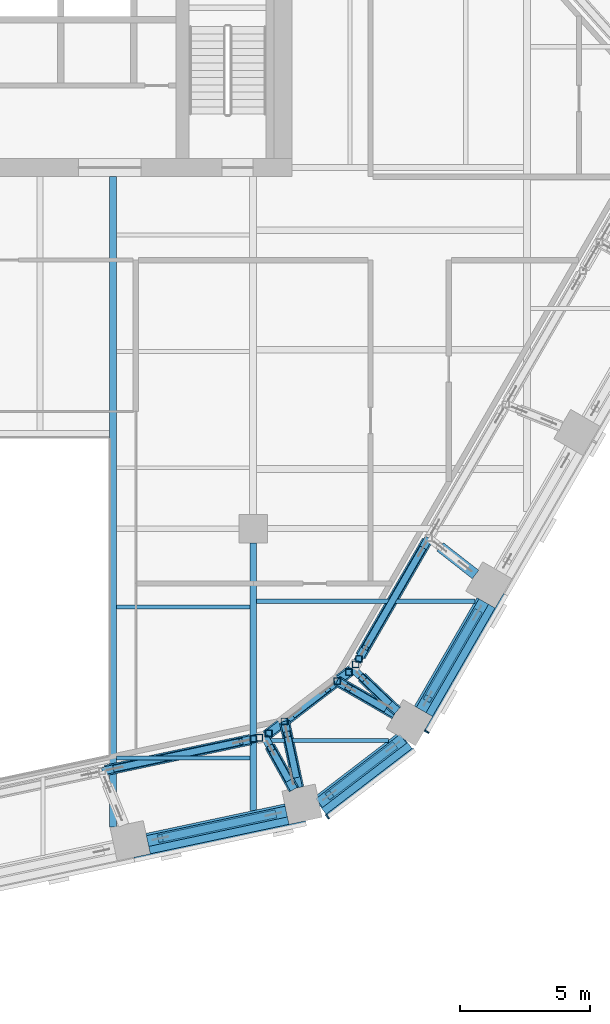
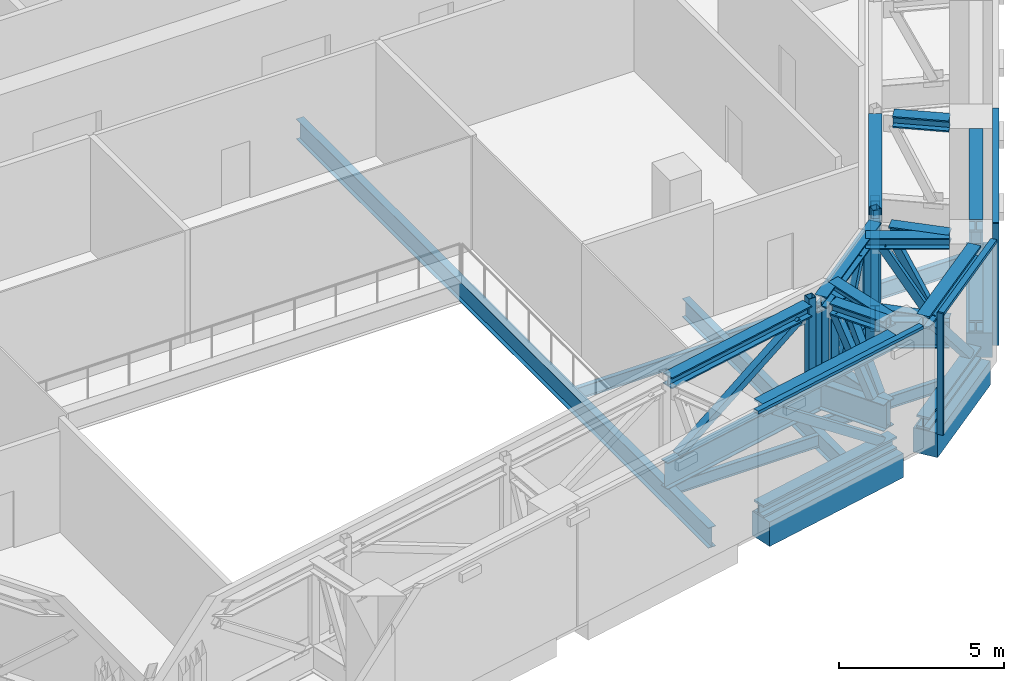
# One storey, part 6 of 26: 44 members, 9 beams, 3 elements without a shape of their own.
"""IFC4 building model written with IfcOpenShell, lengths in metres."""

from ifc_helpers import new_model, si_unit, direction, frame, origin, origin_2d, place, context, subcontext, project, spatial, rectangle, hollow_rectangle, i_section, extrude, material, layer, layer_set, material_profile, profile_set, type_object, element, aggregate, save


model = new_model("IFC4")

# Units and contexts
model_context = context("Model", 3, precision=1e-05, world=origin(), true_north=direction((0.0, 1.0)))
body_context = subcontext(model_context, "Body", "Model", "MODEL_VIEW")
ifc_project = project(units=[si_unit("LENGTHUNIT", "METRE"), si_unit("AREAUNIT", "SQUARE_METRE"), si_unit("VOLUMEUNIT", "CUBIC_METRE"), si_unit("PLANEANGLEUNIT", "RADIAN"), si_unit("MASSUNIT", "GRAM", prefix="KILO")], contexts=[model_context])

# Site, building, storey
site_placement = place(None, origin())
site = spatial("IfcSite", under=ifc_project, at=site_placement, CompositionType="ELEMENT")
building_placement = place(site_placement, origin())
building = spatial("IfcBuilding", under=site, at=building_placement, Name="Isthmus Gate Tower", CompositionType="ELEMENT")
storey_placement = place(building_placement, frame((0.0, 0.0, 207.300048828125)))
storey = spatial("IfcBuildingStorey", under=building, at=storey_placement, Name="L52", CompositionType="ELEMENT", Elevation=207.300048828125)

# Members
ifc_material_1 = material(Name="Structural steel ASTM A913 Gr 65", Category="steel")
ifc_material_profile_1 = material_profile(ifc_material_1, i_section(OverallWidth=0.42236328125, OverallDepth=0.46337890625, WebThickness=0.04443359375, FlangeThickness=0.072998046875, at=origin_2d()), Name="W14X398")
ifc_profile_set_1 = profile_set([ifc_material_profile_1], Name="Structural steel ASTM A913 Gr 65")
member_type_1 = type_object("IfcMemberType", Name="BELT TRUSS CHORD W14X398", PredefinedType="CHORD", material=ifc_profile_set_1)
for number, where, z_axis, x_axis, name in (
    (1, (22.346435546875, -16.294677734375, 0.231689453125), (-0.499957262057, -0.866050077142, 0.0), (0.866050077142, -0.499957262057, 0.0), "str-belt09-L52-01"),
    (2, (22.346435546875, -16.294677734375, 3.96826171875), (-0.499957262057, -0.866050077142, 0.0), (0.866050077142, -0.499957262057, 0.0), "str-belt09-L52-02"),
):
    element("IfcMember", number, at=place(storey_placement, frame(where, z_axis=z_axis, x_axis=x_axis)), inside=storey, type_object=member_type_1, Name=name, PredefinedType="CHORD", context=body_context, shape_type="SweptSolid", body=[
        extrude(i_section(OverallWidth=0.42236328125, OverallDepth=0.46337890625, WebThickness=0.04443359375, FlangeThickness=0.072998046875, at=origin_2d()), origin(), (0.0, 0.0, 1.0), 4.80029296875),
    ])
for number, where, z_axis, x_axis, name in (
    (3, (19.260498046875, -21.556884765625, 0.231689453125), (-0.794180435453, -0.607682018776, 0.0), (0.607682018776, -0.794180435453, 0.0), "str-belt10-L52-01"),
    (4, (19.260498046875, -21.556884765625, 3.96826171875), (-0.794180435453, -0.607682018776, 0.0), (0.607682018776, -0.794180435453, 0.0), "str-belt10-L52-02"),
):
    element("IfcMember", number, at=place(storey_placement, frame(where, z_axis=z_axis, x_axis=x_axis)), inside=storey, type_object=member_type_1, Name=name, PredefinedType="CHORD", context=body_context, shape_type="SweptSolid", body=[
        extrude(i_section(OverallWidth=0.42236328125, OverallDepth=0.46337890625, WebThickness=0.04443359375, FlangeThickness=0.072998046875, at=origin_2d()), origin(), (0.0, 0.0, 1.0), 4.0634765625),
    ])
for number, where, z_axis, x_axis, name in (
    (5, (14.77294921875, -24.3486328125, 0.231689453125), (-0.978141284641, -0.207941403479, 0.0), (0.207941403479, -0.978141284641, 0.0), "str-belt11-L52-01"),
    (6, (14.77294921875, -24.3486328125, 3.96826171875), (-0.978141284641, -0.207941403479, 0.0), (0.207941403479, -0.978141284641, 0.0), "str-belt11-L52-02"),
):
    element("IfcMember", number, at=place(storey_placement, frame(where, z_axis=z_axis, x_axis=x_axis)), inside=storey, type_object=member_type_1, Name=name, PredefinedType="CHORD", context=body_context, shape_type="SweptSolid", body=[
        extrude(i_section(OverallWidth=0.42236328125, OverallDepth=0.46337890625, WebThickness=0.04443359375, FlangeThickness=0.072998046875, at=origin_2d()), origin(), (0.0, 0.0, 1.0), 5.440673828125),
    ])

# Curtain wall, member
ifc_material_2 = material(Name="Aluminium, pale champagne anodised", Category="aluminium")
ifc_layer = layer(ifc_material_2, 0.199951171875)
ifc_layer_set = layer_set([ifc_layer], Name="CW-2 LOUVRE CURTAIN WALL 200 DEEP")
curtain_wall_type = type_object("IfcCurtainWallType", Name="CW-2 LOUVRE CURTAIN WALL 200 DEEP", PredefinedType="NOTDEFINED", material=ifc_layer_set)
curtain_wall_1_placement = place(storey_placement, origin())
curtain_wall_1 = element("IfcCurtainWall", 7, at=curtain_wall_1_placement, inside=storey, type_object=curtain_wall_type, Name="CW-2 S-SE L52", PredefinedType="NOTDEFINED")
ifc_material_3 = material(Name="Aluminium, pale champagne anodised", Category="aluminium")
ifc_material_profile_2 = material_profile(ifc_material_3, rectangle(XDim=0.06005859375, YDim=0.199951171875, at=origin_2d()), Name="60x200")
ifc_profile_set_2 = profile_set([ifc_material_profile_2], Name="Aluminium, pale champagne anodised")
member_type_2 = type_object("IfcMemberType", Name="CW-2 MULLION 60 X 200", PredefinedType="MULLION", material=ifc_profile_set_2)
member_1_placement = place(storey_placement, frame((16.346435546875, -24.5419921875, 0.0), z_axis=(0.0, 0.0, 1.0), x_axis=(0.794188594387, 0.607671355706, 0.0)))
member_1 = element("IfcMember", 8, at=member_1_placement, type_object=member_type_2, Name="CW-2 mullion", PredefinedType="MULLION", context=body_context, shape_type="SweptSolid", body=[
    extrude(rectangle(XDim=0.06005859375, YDim=0.199951171875, at=origin_2d()), origin(), (0.0, 0.0, 1.0), 4.5),
])

curtain_wall_2_placement = place(storey_placement, origin())
curtain_wall_2 = element("IfcCurtainWall", 9, at=curtain_wall_2_placement, inside=storey, type_object=curtain_wall_type, Name="CW-2 SE L52", PredefinedType="NOTDEFINED")
member_2_placement = place(storey_placement, frame((20.156005859375, -21.288818359375, 0.0), z_axis=(0.0, 0.0, 1.0), x_axis=(0.5, 0.866025403784, 0.0)))
member_2 = element("IfcMember", 10, at=member_2_placement, type_object=member_type_2, Name="CW-2 mullion", PredefinedType="MULLION", context=body_context, shape_type="SweptSolid", body=[
    extrude(rectangle(XDim=0.06005859375, YDim=0.199951171875, at=origin_2d()), origin(), (0.0, 0.0, 1.0), 4.5),
])

curtain_wall_3_placement = place(storey_placement, origin())
curtain_wall_3 = element("IfcCurtainWall", 11, at=curtain_wall_3_placement, inside=storey, type_object=curtain_wall_type, Name="CW-2 S L52", PredefinedType="NOTDEFINED")
ifc_material_4 = material(Name="Aluminium, pale champagne anodised", Category="aluminium")
ifc_material_profile_3 = material_profile(ifc_material_4, rectangle(XDim=0.199951171875, YDim=0.110107421875, at=origin_2d()), Name="200x110")
ifc_profile_set_3 = profile_set([ifc_material_profile_3], Name="Aluminium, pale champagne anodised")
member_type_3 = type_object("IfcMemberType", Name="CW-2 TRANSOM 200 X 110", PredefinedType="USERDEFINED", material=ifc_profile_set_3)
member_3_placement = place(storey_placement, frame((8.93994140625, -26.201904296875, 4.445068359375), z_axis=(0.978151394347, 0.207893842469, 0.0), x_axis=(-0.207893842469, 0.978151394347, 0.0)))
member_3 = element("IfcMember", 12, at=member_3_placement, type_object=member_type_3, Name="CW-2 transom", ObjectType="TRANSOM", PredefinedType="USERDEFINED", context=body_context, shape_type="SweptSolid", body=[
    extrude(rectangle(XDim=0.199951171875, YDim=0.110107421875, at=origin_2d()), origin(), (0.0, 0.0, 1.0), 6.74072265625),
])
aggregate(curtain_wall_3, [member_3])

# Member
member_4_placement = place(storey_placement, frame((16.3701171875, -24.52392578125, 4.445068359375), z_axis=(0.79419705805, 0.607660294066, 0.0), x_axis=(-0.607660294066, 0.79419705805, 0.0)))
member_4 = element("IfcMember", 13, at=member_4_placement, type_object=member_type_3, Name="CW-2 transom", ObjectType="TRANSOM", PredefinedType="USERDEFINED", context=body_context, shape_type="SweptSolid", body=[
    extrude(rectangle(XDim=0.199951171875, YDim=0.110107421875, at=origin_2d()), origin(), (0.0, 0.0, 1.0), 4.181640625),
])

aggregate(curtain_wall_1, [member_1, member_4])

member_5_placement = place(storey_placement, frame((20.171142578125, -21.2626953125, 4.445068359375), z_axis=(0.499990697366, 0.866030774596, 0.0), x_axis=(-0.866030774596, 0.499990697366, 0.0)))
member_5 = element("IfcMember", 14, at=member_5_placement, type_object=member_type_3, Name="CW-2 transom", ObjectType="TRANSOM", PredefinedType="USERDEFINED", context=body_context, shape_type="SweptSolid", body=[
    extrude(rectangle(XDim=0.199951171875, YDim=0.110107421875, at=origin_2d()), origin(), (0.0, 0.0, 1.0), 6.0400390625),
])

aggregate(curtain_wall_2, [member_2, member_5])

# Beams
ifc_material_5 = material(Name="Concrete f'c 60 MPa", Category="concrete")
ifc_material_profile_4 = material_profile(ifc_material_5, rectangle(XDim=0.800048828125, YDim=0.89990234375, at=origin_2d()), Name="RC 800X900")
ifc_profile_set_4 = profile_set([ifc_material_profile_4], Name="Concrete f'c 60 MPa")
beam_type_1 = type_object("IfcBeamType", Name="RC SPANDREL 800 X 900", PredefinedType="SPANDREL", material=ifc_profile_set_4)
beam_1_placement = place(storey_placement, frame((22.43310546875, -16.3447265625, -0.449951171875), z_axis=(-0.500017431331, -0.866015339567, 0.0), x_axis=(0.866015339567, -0.500017431331, 0.0)))
element("IfcBeam", 15, at=beam_1_placement, inside=storey, type_object=beam_type_1, Name="str-spandrel-L52-09", PredefinedType="SPANDREL", context=body_context, shape_type="SweptSolid", body=[
    extrude(rectangle(XDim=0.800048828125, YDim=0.89990234375, at=origin_2d()), origin(), (0.0, 0.0, 1.0), 4.800048828125),
])
beam_2_placement = place(storey_placement, frame((19.354248046875, -21.611083984375, -0.449951171875), z_axis=(-0.794205941875, -0.607648682949, 0.0), x_axis=(0.607648682949, -0.794205941875, 0.0)))
element("IfcBeam", 16, at=beam_2_placement, inside=storey, type_object=beam_type_1, Name="str-spandrel-L52-10", PredefinedType="SPANDREL", context=body_context, shape_type="SweptSolid", body=[
    extrude(rectangle(XDim=0.800048828125, YDim=0.89990234375, at=origin_2d()), origin(), (0.0, 0.0, 1.0), 4.15234375),
])
beam_3_placement = place(storey_placement, frame((14.793701171875, -24.446533203125, -0.449951171875), z_axis=(-0.978150410773, -0.207898470186, 0.0), x_axis=(0.207898470186, -0.978150410773, 0.0)))
element("IfcBeam", 17, at=beam_3_placement, inside=storey, type_object=beam_type_1, Name="str-spandrel-L52-11", PredefinedType="SPANDREL", context=body_context, shape_type="SweptSolid", body=[
    extrude(rectangle(XDim=0.800048828125, YDim=0.89990234375, at=origin_2d()), origin(), (0.0, 0.0, 1.0), 5.440673828125),
])
ifc_material_6 = material(Name="Structural steel ASTM A992 Gr 50", Category="steel")
ifc_material_profile_5 = material_profile(ifc_material_6, i_section(OverallWidth=0.15234375, OverallDepth=0.45068359375, WebThickness=0.0078125, FlangeThickness=0.010986328125, at=origin_2d()), Name="W18X35")
ifc_profile_set_5 = profile_set([ifc_material_profile_5], Name="Structural steel ASTM A992 Gr 50")
beam_type_2 = type_object("IfcBeamType", Name="STEEL FLOOR BEAM W18X35", PredefinedType="JOIST", material=ifc_profile_set_5)
for number, where, z_axis, x_axis, name in (
    (18, (8.263427734375, -22.291015625, -0.525390625), (1.0, 0.0, 0.0), (0.0, 1.0, 0.0), "str-beam-L52-09-00"),
    (19, (8.263427734375, -16.500244140625, -0.525390625), (1.0, 0.0, 0.0), (0.0, 1.0, 0.0), "str-beam-L52-09-01"),
):
    element("IfcBeam", number, at=place(storey_placement, frame(where, z_axis=z_axis, x_axis=x_axis)), inside=storey, type_object=beam_type_2, Name=name, PredefinedType="JOIST", context=body_context, shape_type="SweptSolid", body=[
        extrude(i_section(OverallWidth=0.15234375, OverallDepth=0.45068359375, WebThickness=0.0078125, FlangeThickness=0.010986328125, at=origin_2d()), origin(), (0.0, 0.0, 1.0), 5.109619140625),
    ])
beam_4_placement = place(storey_placement, frame((13.626953125, -21.61767578125, -0.525390625), z_axis=(1.0, 0.0, 0.0), x_axis=(0.0, 1.0, 0.0)))
element("IfcBeam", 20, at=beam_4_placement, inside=storey, type_object=beam_type_2, Name="str-beam-L52-11-00", PredefinedType="JOIST", context=body_context, shape_type="SweptSolid", body=[
    extrude(i_section(OverallWidth=0.15234375, OverallDepth=0.45068359375, WebThickness=0.0078125, FlangeThickness=0.010986328125, at=origin_2d()), origin(), (0.0, 0.0, 1.0), 5.060302734375),
])
ifc_material_7 = material(Name="Structural steel ASTM A992 Gr 50", Category="steel")
ifc_material_profile_6 = material_profile(ifc_material_7, i_section(OverallWidth=0.177734375, OverallDepth=0.60009765625, WebThickness=0.009521484375, FlangeThickness=0.0126953125, at=origin_2d()), Name="W24X55")
ifc_profile_set_6 = profile_set([ifc_material_profile_6], Name="Structural steel ASTM A992 Gr 50")
beam_type_3 = type_object("IfcBeamType", Name="STEEL FLOOR BEAM W24X55", PredefinedType="JOIST", material=ifc_profile_set_6)
beam_5_placement = place(storey_placement, frame((13.626953125, -16.2822265625, -0.60009765625), z_axis=(1.0, 0.0, 0.0), x_axis=(0.0, 1.0, 0.0)))
element("IfcBeam", 21, at=beam_5_placement, inside=storey, type_object=beam_type_3, Name="str-beam-L52-11-01", PredefinedType="JOIST", context=body_context, shape_type="SweptSolid", body=[
    extrude(i_section(OverallWidth=0.177734375, OverallDepth=0.60009765625, WebThickness=0.009521484375, FlangeThickness=0.0126953125, at=origin_2d()), origin(), (0.0, 0.0, 1.0), 8.38037109375),
])
ifc_material_8 = material(Name="Structural steel ASTM A992 Gr 50", Category="steel")
ifc_material_profile_7 = material_profile(ifc_material_8, i_section(OverallWidth=0.25390625, OverallDepth=0.679443359375, WebThickness=0.010986328125, FlangeThickness=0.015869140625, at=origin_2d()), Name="W27X84")
ifc_profile_set_7 = profile_set([ifc_material_profile_7], Name="Structural steel ASTM A992 Gr 50")
beam_type_4 = type_object("IfcBeamType", Name="STEEL GIRDER W27X84", PredefinedType="BEAM", material=ifc_profile_set_7)
beam_6_placement = place(storey_placement, frame((13.5, -24.3125, -0.6396484375), z_axis=(0.0, 1.0, 0.0), x_axis=(-1.0, 0.0, 0.0)))
element("IfcBeam", 22, at=beam_6_placement, inside=storey, type_object=beam_type_4, Name="str-girder-L52-09", PredefinedType="BEAM", context=body_context, shape_type="SweptSolid", body=[
    extrude(i_section(OverallWidth=0.25390625, OverallDepth=0.679443359375, WebThickness=0.010986328125, FlangeThickness=0.015869140625, at=origin_2d()), origin(), (0.0, 0.0, 1.0), 10.262451171875),
])
ifc_material_9 = material(Name="Structural steel ASTM A992 Gr 50", Category="steel")
ifc_material_profile_8 = material_profile(ifc_material_9, i_section(OverallWidth=0.263427734375, OverallDepth=0.749267578125, WebThickness=0.0126953125, FlangeThickness=0.015869140625, at=origin_2d()), Name="W30X90")
ifc_profile_set_8 = profile_set([ifc_material_profile_8], Name="Structural steel ASTM A992 Gr 50")
beam_type_5 = type_object("IfcBeamType", Name="STEEL TRIMMER W30X90", PredefinedType="BEAM", material=ifc_profile_set_8)
beam_7_placement = place(storey_placement, frame((8.1318359375, -24.9423828125, -0.6748046875), z_axis=(0.0, 1.0, 0.0), x_axis=(-1.0, 0.0, 0.0)))
element("IfcBeam", 23, at=beam_7_placement, inside=storey, type_object=beam_type_5, Name="str-trimmer-L52-01", PredefinedType="BEAM", context=body_context, shape_type="SweptSolid", body=[
    extrude(i_section(OverallWidth=0.263427734375, OverallDepth=0.749267578125, WebThickness=0.0126953125, FlangeThickness=0.015869140625, at=origin_2d()), origin(), (0.0, 0.0, 1.0), 24.9423828125),
])

# Members
ifc_material_10 = material(Name="Structural steel ASTM A913 Gr 65", Category="steel")
ifc_material_profile_9 = material_profile(ifc_material_10, i_section(OverallWidth=0.406494140625, OverallDepth=0.416015625, WebThickness=0.0302734375, FlangeThickness=0.047607421875, at=origin_2d()), Name="W14X257")
ifc_profile_set_9 = profile_set([ifc_material_profile_9], Name="Structural steel ASTM A913 Gr 65")
member_type_4 = type_object("IfcMemberType", Name="TRANSFER TRUSS CHORD W14X257", PredefinedType="CHORD", material=ifc_profile_set_9)
member_6_placement = place(storey_placement, frame((20.17041015625, -13.9638671875, 3.89208984375), z_axis=(-0.500001144849, -0.866024742805, 0.0), x_axis=(0.866024742805, -0.500001144849, 0.0)))
element("IfcMember", 24, at=member_6_placement, inside=storey, type_object=member_type_4, Name="str-ring03-L52-17", PredefinedType="CHORD", context=body_context, shape_type="SweptSolid", body=[
    extrude(i_section(OverallWidth=0.406494140625, OverallDepth=0.416015625, WebThickness=0.0302734375, FlangeThickness=0.047607421875, at=origin_2d()), origin(), (0.0, 0.0, 1.0), 5.10595703125),
])
member_7_placement = place(storey_placement, frame((17.333740234375, -18.877197265625, 3.89208984375), z_axis=(-0.79418598168, -0.607674770336, 0.0), x_axis=(0.607674770336, -0.79418598168, 0.0)))
element("IfcMember", 25, at=member_7_placement, inside=storey, type_object=member_type_4, Name="str-ring04-L52-06", PredefinedType="CHORD", context=body_context, shape_type="SweptSolid", body=[
    extrude(i_section(OverallWidth=0.406494140625, OverallDepth=0.416015625, WebThickness=0.0302734375, FlangeThickness=0.047607421875, at=origin_2d()), origin(), (0.0, 0.0, 1.0), 4.275146484375),
])
member_8_placement = place(storey_placement, frame((13.397705078125, -21.58984375, 3.89208984375), z_axis=(-0.978147177237, -0.207913683204, 0.0), x_axis=(0.207913683204, -0.978147177237, 0.0)))
element("IfcMember", 26, at=member_8_placement, inside=storey, type_object=member_type_4, Name="str-ring05-L52-14", PredefinedType="CHORD", context=body_context, shape_type="SweptSolid", body=[
    extrude(i_section(OverallWidth=0.406494140625, OverallDepth=0.416015625, WebThickness=0.0302734375, FlangeThickness=0.047607421875, at=origin_2d()), origin(), (0.0, 0.0, 1.0), 5.68798828125),
])
member_9_placement = place(storey_placement, frame((15.242431640625, -23.43115234375, 3.89208984375), z_axis=(-0.207904844043, 0.978149056036, 0.0), x_axis=(-0.978149056036, -0.207904844043, 0.0)))
element("IfcMember", 27, at=member_9_placement, inside=storey, type_object=member_type_4, Name="str-link19-L52-02", PredefinedType="CHORD", context=body_context, shape_type="SweptSolid", body=[
    extrude(i_section(OverallWidth=0.406494140625, OverallDepth=0.416015625, WebThickness=0.0302734375, FlangeThickness=0.047607421875, at=origin_2d()), origin(), (0.0, 0.0, 1.0), 2.597412109375),
])
member_10_placement = place(storey_placement, frame((18.9287109375, -20.61474609375, 3.89208984375), z_axis=(-0.866049759928, 0.499957811549, 0.0), x_axis=(-0.499957811549, -0.866049759928, 0.0)))
element("IfcMember", 28, at=member_10_placement, inside=storey, type_object=member_type_4, Name="str-link20-L52-02", PredefinedType="CHORD", context=body_context, shape_type="SweptSolid", body=[
    extrude(i_section(OverallWidth=0.406494140625, OverallDepth=0.416015625, WebThickness=0.0302734375, FlangeThickness=0.047607421875, at=origin_2d()), origin(), (0.0, 0.0, 1.0), 2.544189453125),
])
member_11_placement = place(storey_placement, frame((22.029541015625, -15.256591796875, 3.89208984375), z_axis=(-0.787977118918, 0.61570452334, 0.0), x_axis=(-0.61570452334, -0.787977118918, 0.0)))
element("IfcMember", 29, at=member_11_placement, inside=storey, type_object=member_type_4, Name="str-link21-L52-02", PredefinedType="CHORD", context=body_context, shape_type="SweptSolid", body=[
    extrude(i_section(OverallWidth=0.406494140625, OverallDepth=0.416015625, WebThickness=0.0302734375, FlangeThickness=0.047607421875, at=origin_2d()), origin(), (0.0, 0.0, 1.0), 1.723388671875),
])
member_12_placement = place(storey_placement, frame((19.021728515625, -20.490478515625, 3.89208984375), z_axis=(-0.72290526245, 0.690947162612, 0.0), x_axis=(-0.690947162612, -0.72290526245, 0.0)))
element("IfcMember", 30, at=member_12_placement, inside=storey, type_object=member_type_4, Name="str-link34-L52-02", PredefinedType="CHORD", context=body_context, shape_type="SweptSolid", body=[
    extrude(i_section(OverallWidth=0.406494140625, OverallDepth=0.416015625, WebThickness=0.0302734375, FlangeThickness=0.047607421875, at=origin_2d()), origin(), (0.0, 0.0, 1.0), 1.87158203125),
])
member_13_placement = place(storey_placement, frame((15.06201171875, -23.49853515625, 3.89208984375), z_axis=(-0.48542368602, 0.874279043012, 0.0), x_axis=(-0.874279043012, -0.48542368602, 0.0)))
element("IfcMember", 31, at=member_13_placement, inside=storey, type_object=member_type_4, Name="str-link35-L52-02", PredefinedType="CHORD", context=body_context, shape_type="SweptSolid", body=[
    extrude(i_section(OverallWidth=0.406494140625, OverallDepth=0.416015625, WebThickness=0.0302734375, FlangeThickness=0.047607421875, at=origin_2d()), origin(), (0.0, 0.0, 1.0), 1.89111328125),
])
ifc_material_11 = material(Name="Structural steel ASTM A913 Gr 65", Category="steel")
ifc_material_profile_10 = material_profile(ifc_material_11, i_section(OverallWidth=0.29833984375, OverallDepth=0.981201171875, WebThickness=0.015869140625, FlangeThickness=0.025390625, at=origin_2d()), Name="W40X167")
ifc_profile_set_10 = profile_set([ifc_material_profile_10], Name="Structural steel ASTM A913 Gr 65")
member_type_5 = type_object("IfcMemberType", Name="TRANSFER TRUSS CHORD W40X167", PredefinedType="CHORD", material=ifc_profile_set_10)
member_14_placement = place(storey_placement, frame((20.23388671875, -13.853759765625, 0.490478515625), z_axis=(-0.499982349449, -0.866035594095, 0.0), x_axis=(0.866035594095, -0.499982349449, 0.0)))
element("IfcMember", 32, at=member_14_placement, inside=storey, type_object=member_type_5, Name="str-ring03-L52-12", PredefinedType="CHORD", context=body_context, shape_type="SweptSolid", body=[
    extrude(i_section(OverallWidth=0.29833984375, OverallDepth=0.981201171875, WebThickness=0.015869140625, FlangeThickness=0.025390625, at=origin_2d()), origin(), (0.0, 0.0, 1.0), 5.800537109375),
])
member_15_placement = place(storey_placement, frame((17.333740234375, -18.877197265625, 0.490478515625), z_axis=(-0.79418598168, -0.607674770336, 0.0), x_axis=(0.607674770336, -0.79418598168, 0.0)))
element("IfcMember", 33, at=member_15_placement, inside=storey, type_object=member_type_5, Name="str-ring04-L52-05", PredefinedType="CHORD", context=body_context, shape_type="SweptSolid", body=[
    extrude(i_section(OverallWidth=0.29833984375, OverallDepth=0.981201171875, WebThickness=0.015869140625, FlangeThickness=0.025390625, at=origin_2d()), origin(), (0.0, 0.0, 1.0), 4.275146484375),
])
member_16_placement = place(storey_placement, frame((13.9384765625, -21.47509765625, 0.490478515625), z_axis=(-0.978147254219, -0.207913321037, 0.0), x_axis=(0.207913321037, -0.978147254219, 0.0)))
element("IfcMember", 34, at=member_16_placement, inside=storey, type_object=member_type_5, Name="str-ring05-L52-09", PredefinedType="CHORD", context=body_context, shape_type="SweptSolid", body=[
    extrude(i_section(OverallWidth=0.29833984375, OverallDepth=0.981201171875, WebThickness=0.015869140625, FlangeThickness=0.025390625, at=origin_2d()), origin(), (0.0, 0.0, 1.0), 6.367919921875),
])
member_17_placement = place(storey_placement, frame((15.242431640625, -23.43115234375, 0.490478515625), z_axis=(-0.207904844043, 0.978149056036, 0.0), x_axis=(-0.978149056036, -0.207904844043, 0.0)))
element("IfcMember", 35, at=member_17_placement, inside=storey, type_object=member_type_5, Name="str-link19-L52-01", PredefinedType="CHORD", context=body_context, shape_type="SweptSolid", body=[
    extrude(i_section(OverallWidth=0.29833984375, OverallDepth=0.981201171875, WebThickness=0.015869140625, FlangeThickness=0.025390625, at=origin_2d()), origin(), (0.0, 0.0, 1.0), 2.597412109375),
])
member_18_placement = place(storey_placement, frame((18.9287109375, -20.61474609375, 0.490478515625), z_axis=(-0.866049759928, 0.499957811549, 0.0), x_axis=(-0.499957811549, -0.866049759928, 0.0)))
element("IfcMember", 36, at=member_18_placement, inside=storey, type_object=member_type_5, Name="str-link20-L52-01", PredefinedType="CHORD", context=body_context, shape_type="SweptSolid", body=[
    extrude(i_section(OverallWidth=0.29833984375, OverallDepth=0.981201171875, WebThickness=0.015869140625, FlangeThickness=0.025390625, at=origin_2d()), origin(), (0.0, 0.0, 1.0), 2.544189453125),
])
member_19_placement = place(storey_placement, frame((19.021728515625, -20.490478515625, 0.490478515625), z_axis=(-0.722923374601, 0.69092821223, 0.0), x_axis=(-0.69092821223, -0.722923374601, 0.0)))
element("IfcMember", 37, at=member_19_placement, inside=storey, type_object=member_type_5, Name="str-link34-L52-01", PredefinedType="CHORD", context=body_context, shape_type="SweptSolid", body=[
    extrude(i_section(OverallWidth=0.29833984375, OverallDepth=0.981201171875, WebThickness=0.015869140625, FlangeThickness=0.025390625, at=origin_2d()), origin(), (0.0, 0.0, 1.0), 2.3349609375),
])
member_20_placement = place(storey_placement, frame((15.06201171875, -23.49853515625, 0.490478515625), z_axis=(-0.485445879236, 0.874266720362, 0.0), x_axis=(-0.874266720362, -0.485445879236, 0.0)))
element("IfcMember", 38, at=member_20_placement, inside=storey, type_object=member_type_5, Name="str-link35-L52-01", PredefinedType="CHORD", context=body_context, shape_type="SweptSolid", body=[
    extrude(i_section(OverallWidth=0.29833984375, OverallDepth=0.981201171875, WebThickness=0.015869140625, FlangeThickness=0.025390625, at=origin_2d()), origin(), (0.0, 0.0, 1.0), 2.314453125),
])
ifc_material_12 = material(Name="Structural steel ASTM A500 Gr C", Category="steel")
ifc_material_profile_11 = material_profile(ifc_material_12, hollow_rectangle(XDim=0.25390625, YDim=0.25390625, WallThickness=0.01171875, at=origin_2d()), Name="HSS10X10X1/2")
ifc_profile_set_11 = profile_set([ifc_material_profile_11], Name="Structural steel ASTM A500 Gr C")
member_type_6 = type_object("IfcMemberType", Name="TRANSFER TRUSS DIAGONAL HSS10X10X1/2", PredefinedType="BRACE", material=ifc_profile_set_11)
member_21_placement = place(storey_placement, frame((19.98388671875, -14.286865234375, 0.98095703125), z_axis=(-0.424943203727, -0.736047887652, 0.526931476276), x_axis=(0.866032659912, -0.499987431809, 0.0)))
element("IfcMember", 39, at=member_21_placement, inside=storey, type_object=member_type_6, Name="str-ring03-L52-23", PredefinedType="BRACE", context=body_context, shape_type="SweptSolid", body=[
    extrude(hollow_rectangle(XDim=0.25390625, YDim=0.25390625, WallThickness=0.01171875, at=origin_2d()), origin(), (0.0, 0.0, 1.0), 5.1298828125),
])
member_22_placement = place(storey_placement, frame((15.099609375, -20.586669921875, 0.98095703125), z_axis=(0.394450881439, 0.301874074806, 0.86791736075), x_axis=(-0.60774881207, 0.794129322861, 0.0)))
element("IfcMember", 40, at=member_22_placement, inside=storey, type_object=member_type_6, Name="str-ring04-L52-07", PredefinedType="BRACE", context=body_context, shape_type="SweptSolid", body=[
    extrude(hollow_rectangle(XDim=0.25390625, YDim=0.25390625, WallThickness=0.01171875, at=origin_2d()), origin(), (0.0, 0.0, 1.0), 3.114501953125),
])
member_23_placement = place(storey_placement, frame((8.19873046875, -22.695068359375, 0.98095703125), z_axis=(0.858160766759, 0.182424175116, 0.479876566139), x_axis=(-0.207929655488, 0.978143782053, 0.0)))
element("IfcMember", 41, at=member_23_placement, inside=storey, type_object=member_type_6, Name="str-ring05-L52-19", PredefinedType="BRACE", context=body_context, shape_type="SweptSolid", body=[
    extrude(hollow_rectangle(XDim=0.25390625, YDim=0.25390625, WallThickness=0.01171875, at=origin_2d()), origin(), (0.0, 0.0, 1.0), 5.633056640625),
])
member_24_placement = place(storey_placement, frame((15.138427734375, -22.94189453125, 0.98095703125), z_axis=(-0.105752235398, 0.497579819347, 0.860947610535), x_axis=(-0.97815224606, -0.207889835075, 0.0)))
element("IfcMember", 42, at=member_24_placement, inside=storey, type_object=member_type_6, Name="str-link19-L52-03", PredefinedType="BRACE", context=body_context, shape_type="SweptSolid", body=[
    extrude(hollow_rectangle(XDim=0.25390625, YDim=0.25390625, WallThickness=0.01171875, at=origin_2d()), origin(), (0.0, 0.0, 1.0), 3.1396484375),
])
member_25_placement = place(storey_placement, frame((18.49560546875, -20.36474609375, 0.98095703125), z_axis=(-0.429538959405, 0.247982871945, 0.868332181584), x_axis=(-0.499982516597, -0.866035497597, 0.0)))
element("IfcMember", 43, at=member_25_placement, inside=storey, type_object=member_type_6, Name="str-link20-L52-03", PredefinedType="BRACE", context=body_context, shape_type="SweptSolid", body=[
    extrude(hollow_rectangle(XDim=0.25390625, YDim=0.25390625, WallThickness=0.01171875, at=origin_2d()), origin(), (0.0, 0.0, 1.0), 3.113037109375),
])
member_26_placement = place(storey_placement, frame((18.66015625, -20.14501953125, 0.98095703125), z_axis=(-0.320116467733, 0.30594485583, 0.896617639954), x_axis=(-0.690923622759, -0.722927760923, 0.0)))
element("IfcMember", 44, at=member_26_placement, inside=storey, type_object=member_type_6, Name="str-link34-L52-03", PredefinedType="BRACE", context=body_context, shape_type="SweptSolid", body=[
    extrude(hollow_rectangle(XDim=0.25390625, YDim=0.25390625, WallThickness=0.01171875, at=origin_2d()), origin(), (0.0, 0.0, 1.0), 3.014892578125),
])
member_27_placement = place(storey_placement, frame((14.8193359375, -23.0615234375, 0.98095703125), z_axis=(-0.21231171975, 0.382388514377, 0.899279021066), x_axis=(-0.874279880927, -0.485422176879, 0.0)))
element("IfcMember", 45, at=member_27_placement, inside=storey, type_object=member_type_6, Name="str-link35-L52-03", PredefinedType="BRACE", context=body_context, shape_type="SweptSolid", body=[
    extrude(hollow_rectangle(XDim=0.25390625, YDim=0.25390625, WallThickness=0.01171875, at=origin_2d()), origin(), (0.0, 0.0, 1.0), 3.005859375),
])
ifc_material_13 = material(Name="Structural steel ASTM A500 Gr C", Category="steel")
ifc_material_profile_12 = material_profile(ifc_material_13, hollow_rectangle(XDim=0.25390625, YDim=0.25390625, WallThickness=0.01171875, at=origin_2d()), Name="HSS10X10X1/2")
ifc_profile_set_12 = profile_set([ifc_material_profile_12], Name="Structural steel ASTM A500 Gr C")
member_type_7 = type_object("IfcMemberType", Name="TRANSFER TRUSS POST HSS10X10X1/2", PredefinedType="POST", material=ifc_profile_set_12)
member_28_placement = place(storey_placement, frame((17.553955078125, -18.495849609375, 0.98095703125), z_axis=(0.0, 0.0, 1.0), x_axis=(1.0, 0.0, 0.0)))
element("IfcMember", 46, at=member_28_placement, inside=storey, type_object=member_type_7, Name="str-ring03-L52-07", PredefinedType="POST", context=body_context, shape_type="SweptSolid", body=[
    extrude(hollow_rectangle(XDim=0.25390625, YDim=0.25390625, WallThickness=0.01171875, at=origin_2d()), origin(), (0.0, 0.0, 1.0), 3.319091796875),
])
for number, where, z_axis, x_axis, name in (
    (47, (17.433837890625, -18.70361328125, 0.98095703125), (0.0, 0.0, 1.0), (1.0, 0.0, 0.0), "str-ring03-L52-08"),
    (48, (17.1748046875, -18.998779296875, 0.98095703125), (0.0, 0.0, 1.0), (1.0, 0.0, 0.0), "str-ring04-L52-01"),
    (49, (16.725341796875, -19.3427734375, 0.98095703125), (0.0, 0.0, 1.0), (1.0, 0.0, 0.0), "str-ring04-L52-02"),
    (50, (14.70263671875, -20.890380859375, 0.98095703125), (0.0, 0.0, 1.0), (1.0, 0.0, 0.0), "str-ring04-L52-03"),
    (51, (14.097412109375, -21.353515625, 0.98095703125), (0.0, 0.0, 1.0), (1.0, 0.0, 0.0), "str-ring04-L52-04"),
    (52, (13.742919921875, -21.5166015625, 0.98095703125), (0.0, 0.0, 1.0), (1.0, 0.0, 0.0), "str-ring05-L52-01"),
):
    element("IfcMember", number, at=place(storey_placement, frame(where, z_axis=z_axis, x_axis=x_axis)), inside=storey, type_object=member_type_7, Name=name, PredefinedType="POST", context=body_context, shape_type="SweptSolid", body=[
        extrude(hollow_rectangle(XDim=0.25390625, YDim=0.25390625, WallThickness=0.01171875, at=origin_2d()), origin(), (0.0, 0.0, 1.0), 2.703125),
    ])
member_29_placement = place(storey_placement, frame((13.521728515625, -21.5634765625, 0.98095703125), z_axis=(0.0, 0.0, 1.0), x_axis=(1.0, 0.0, 0.0)))
element("IfcMember", 53, at=member_29_placement, inside=storey, type_object=member_type_7, Name="str-ring05-L52-02", PredefinedType="POST", context=body_context, shape_type="SweptSolid", body=[
    extrude(hollow_rectangle(XDim=0.25390625, YDim=0.25390625, WallThickness=0.01171875, at=origin_2d()), origin(), (0.0, 0.0, 1.0), 3.319091796875),
])
ifc_material_14 = material(Name="Structural steel ASTM A500 Gr C", Category="steel")
ifc_material_profile_13 = material_profile(ifc_material_14, hollow_rectangle(XDim=0.3046875, YDim=0.3046875, WallThickness=0.014892578125, at=origin_2d()), Name="HSS12X12X5/8")
ifc_profile_set_13 = profile_set([ifc_material_profile_13], Name="Structural steel ASTM A500 Gr C")
member_type_8 = type_object("IfcMemberType", Name="TRUSS DIAGONAL HSS12X12X5/8", PredefinedType="BRACE", material=ifc_profile_set_13)
member_30_placement = place(storey_placement, frame((22.096435546875, -16.727783203125, 0.46337890625), z_axis=(-0.378813945611, -0.656182470681, 0.652628960269), x_axis=(0.866044365799, -0.499967155389, 0.0)))
element("IfcMember", 54, at=member_30_placement, inside=storey, type_object=member_type_8, Name="str-belt09-L52-03", PredefinedType="BRACE", context=body_context, shape_type="SweptSolid", body=[
    extrude(hollow_rectangle(XDim=0.3046875, YDim=0.3046875, WallThickness=0.014892578125, at=origin_2d()), origin(), (0.0, 0.0, 1.0), 5.015380859375),
])
member_31_placement = place(storey_placement, frame((18.86328125, -21.860595703125, 0.46337890625), z_axis=(-0.542637162166, -0.415255756877, 0.730142155075), x_axis=(0.607725198501, -0.794147393818, 0.0)))
element("IfcMember", 55, at=member_31_placement, inside=storey, type_object=member_type_8, Name="str-belt10-L52-03", PredefinedType="BRACE", context=body_context, shape_type="SweptSolid", body=[
    extrude(hollow_rectangle(XDim=0.3046875, YDim=0.3046875, WallThickness=0.014892578125, at=origin_2d()), origin(), (0.0, 0.0, 1.0), 4.48291015625),
])
member_32_placement = place(storey_placement, frame((14.283935546875, -24.45263671875, 0.46337890625), z_axis=(-0.787375010532, -0.167370295067, 0.593319287669), x_axis=(0.207921877087, -0.97814543552, 0.0)))
element("IfcMember", 56, at=member_32_placement, inside=storey, type_object=member_type_8, Name="str-belt11-L52-03", PredefinedType="BRACE", context=body_context, shape_type="SweptSolid", body=[
    extrude(hollow_rectangle(XDim=0.3046875, YDim=0.3046875, WallThickness=0.014892578125, at=origin_2d()), origin(), (0.0, 0.0, 1.0), 5.516845703125),
])

save(model, "model.ifc")
